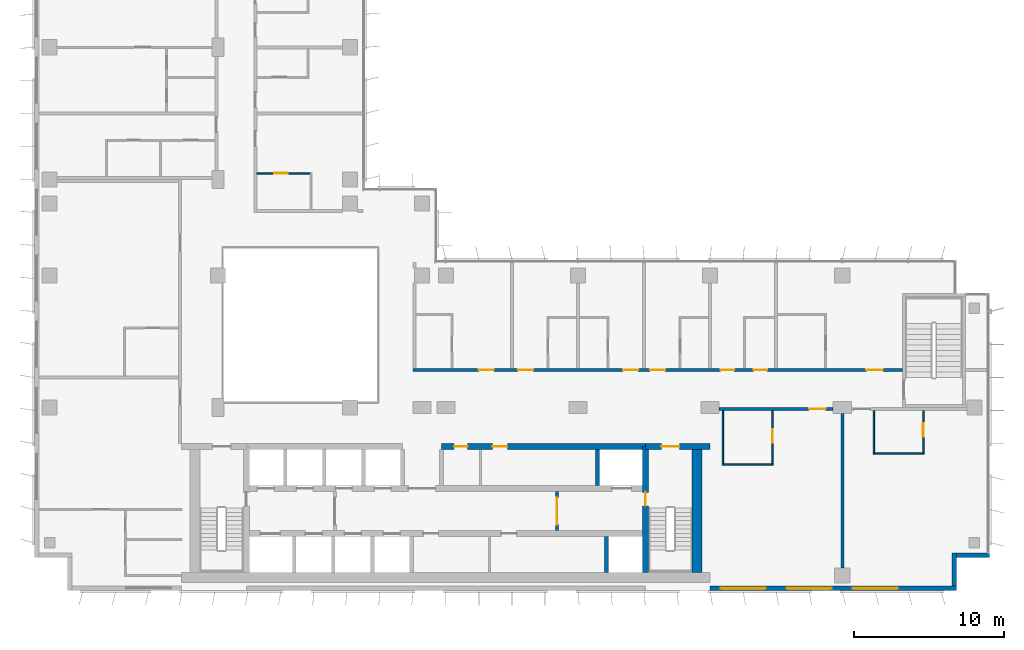
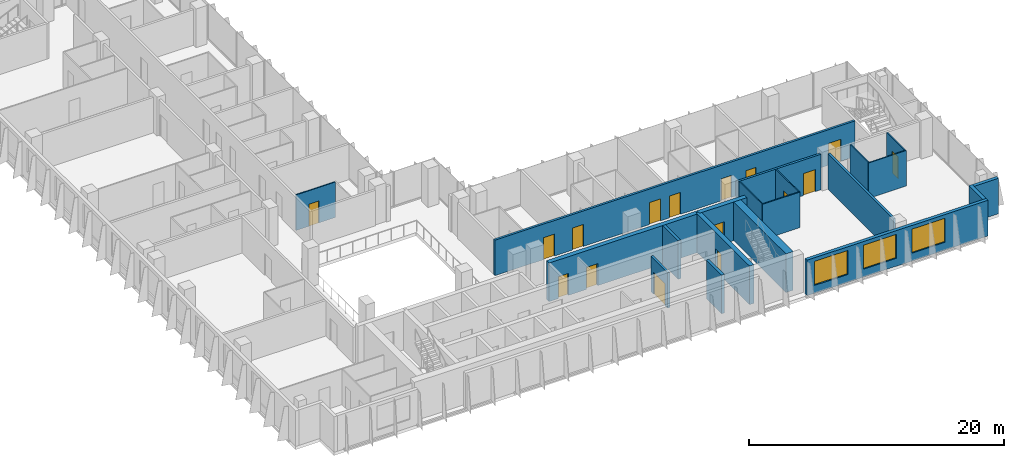
# One storey, part 14 of 21: 20 walls, 16 doors, 3 windows, 19 openings.
"""IFC4 building model written with IfcOpenShell, lengths in metres."""

import ifcopenshell
import ifcopenshell.guid

model = None  # the IFC model being written
_history = None  # IfcOwnerHistory: only IFC2X3 demands one
_inside = {}  # id of a spatial element -> (the spatial element, [elements in it])
_under = {}  # id of a project, library or spatial element -> (it, [spatial elements below it])
_declared = {}  # id of a project -> (the project, [libraries it declares])
_typed = {}  # id of a type object -> (the type object, [elements of that type])
_made_of = {}  # id of a material, layer set ... -> (it, [elements and type objects made of it])


def new_model(schema):
    """Start an empty IFC model of exactly this schema.

    Asked for "IFC4X3", IfcOpenShell would pick the latest addendum, in which some entities
    have other attributes; the version numbers below select the first issue.
    IFC2X3 requires an IfcOwnerHistory on every rooted entity: one is made here for all.
    """
    global model, _history
    if schema == "IFC4X3":
        model = ifcopenshell.file(schema_version=(4, 3, 0, 0))
    else:
        model = ifcopenshell.file(schema=schema)
    _inside.clear()
    _under.clear()
    _declared.clear()
    _typed.clear()
    _made_of.clear()
    _history = None
    if model.schema == "IFC2X3":
        org = make("IfcOrganization", Name="unknown")
        user = make(
            "IfcPersonAndOrganization",
            ThePerson=make("IfcPerson", FamilyName="unknown"),
            TheOrganization=org,
        )
        app = make(
            "IfcApplication",
            ApplicationDeveloper=org,
            Version="unknown",
            ApplicationFullName="unknown",
            ApplicationIdentifier="unknown",
        )
        _history = make(
            "IfcOwnerHistory",
            OwningUser=user,
            OwningApplication=app,
            ChangeAction="ADDED",
            CreationDate=0,
        )
    return model


def make(cls, **values):
    """One entity of the class cls with the attributes given. An attribute that is None is left unset."""
    return model.create_entity(
        cls, **{name: value for name, value in values.items() if value is not None}
    )


def rooted(cls, **values):
    """An entity with a GlobalId (a new one), such as an element, a storey or a relation."""
    return make(cls, GlobalId=ifcopenshell.guid.new(), OwnerHistory=_history, **values)


def si_unit(unit_type, name, prefix=None):
    """IfcSIUnit, for example si_unit("LENGTHUNIT", "METRE", prefix="MILLI")."""
    return make("IfcSIUnit", UnitType=unit_type, Prefix=prefix, Name=name)


def assignment(units):
    """IfcUnitAssignment: the units of a project."""
    return None if units is None else make("IfcUnitAssignment", Units=units)


def point(xyz):
    """IfcCartesianPoint."""
    return None if xyz is None else make("IfcCartesianPoint", Coordinates=xyz)


def direction(xyz):
    """IfcDirection."""
    return None if xyz is None else make("IfcDirection", DirectionRatios=xyz)


def frame(location, z_axis=None, x_axis=None):
    """IfcAxis2Placement3D, a coordinate frame: its origin and axes. An axis left out is left unset."""
    return make(
        "IfcAxis2Placement3D",
        Location=point(location),
        Axis=direction(z_axis),
        RefDirection=direction(x_axis),
    )


def frame_2d(location, x_axis=None):
    """IfcAxis2Placement2D, a coordinate frame in the plane: its origin and x axis."""
    return make(
        "IfcAxis2Placement2D", Location=point(location), RefDirection=direction(x_axis)
    )


def origin():
    """The frame at (0, 0, 0) with its axes left unset."""
    return frame((0.0, 0.0, 0.0))


def place(relative_to, where):
    """IfcLocalPlacement: puts the frame where relative to a parent placement (None: the world)."""
    return make(
        "IfcLocalPlacement", PlacementRelTo=relative_to, RelativePlacement=where
    )


def context(
    kind, dimensions, precision=None, world=None, true_north=None, identifier=None
):
    """IfcGeometricRepresentationContext, for example the 3D "Model" context."""
    return make(
        "IfcGeometricRepresentationContext",
        ContextIdentifier=identifier,
        ContextType=kind,
        CoordinateSpaceDimension=dimensions,
        Precision=precision,
        WorldCoordinateSystem=world,
        TrueNorth=true_north,
    )


def subcontext(parent, identifier, kind, view, scale=None):
    """IfcGeometricRepresentationSubContext, for example "Body" below "Model"."""
    return make(
        "IfcGeometricRepresentationSubContext",
        ContextIdentifier=identifier,
        ContextType=kind,
        ParentContext=parent,
        TargetScale=scale,
        TargetView=view,
    )


def project(units=None, contexts=None):
    """IfcProject with its units and contexts."""
    return rooted(
        "IfcProject",
        Name="project",
        RepresentationContexts=contexts,
        UnitsInContext=assignment(units),
    )


def spatial(cls, under=None, at=None, **own):
    """A site, building, storey or space (cls), placed at a placement, below another one or the project."""
    s = rooted(cls, ObjectPlacement=at, **own)
    if under is not None:
        _under.setdefault(under.id(), (under, []))[1].append(s)
    return s


def profile(cls, at=None, kind="AREA", **sizes):
    """A parametric profile (cls). Its sizes go by their IFC names, for example OverallWidth=200.0."""
    return make(cls, ProfileType=kind, Position=at, **sizes)


def rectangle(**sizes):
    """IfcRectangleProfileDef."""
    return profile("IfcRectangleProfileDef", **sizes)


def extrude(swept, where, along, depth):
    """IfcExtrudedAreaSolid: the profile swept, set in the frame where, extruded along a direction by depth."""
    return make(
        "IfcExtrudedAreaSolid",
        SweptArea=swept,
        Position=where,
        ExtrudedDirection=direction(along),
        Depth=depth,
    )


def shape(context_of_items, identifier, shape_type, items):
    """IfcShapeRepresentation: the items that make up one representation, for example the "Body"."""
    return make(
        "IfcShapeRepresentation",
        ContextOfItems=context_of_items,
        RepresentationIdentifier=identifier,
        RepresentationType=shape_type,
        Items=items,
    )


def material(Name=None, Category=None):
    """IfcMaterial."""
    return make("IfcMaterial", Name=Name, Category=Category)


def layer(
    of_material, thickness, ventilated=None, Name=None, Category=None, Priority=None
):
    """IfcMaterialLayer: one layer of a wall or slab, of a material (None: an air gap)."""
    return make(
        "IfcMaterialLayer",
        Material=of_material,
        LayerThickness=thickness,
        IsVentilated=ventilated,
        Name=Name,
        Category=Category,
        Priority=Priority,
    )


def layer_set(layers, Name=None):
    """IfcMaterialLayerSet."""
    return make("IfcMaterialLayerSet", MaterialLayers=layers, LayerSetName=Name)


def made_of(thing, what):
    """Note that an element or type object is made of a material, layer set ...; save() writes the relation."""
    if what is not None:
        _made_of.setdefault(what.id(), (what, []))[1].append(thing)
    return thing


def type_object(cls, material=None, **own):
    """A type object (cls), such as IfcWallType, which elements share."""
    return made_of(rooted(cls, **own), material)


def element(
    cls,
    number,
    at=None,
    inside=None,
    cuts=None,
    type_object=None,
    material=None,
    context=None,
    identifier="Body",
    shape_type=None,
    held_by="IfcProductDefinitionShape",
    body=None,
    shapes=None,
    **own,
):
    """One element of the class cls, such as IfcWall. Its Tag is "e" and its number.

    at: its placement. inside: the storey or other place that contains it. cuts: it is an
    opening in that element (IfcRelVoidsElement). A single representation is given by context,
    identifier, shape_type and body (its items); several are given by shapes. held_by: the class
    of the entity that holds the representations. save() writes the other relations.
    """
    e = rooted(cls, Tag="e%d" % number, ObjectPlacement=at, **own)
    if body is not None:
        shapes = [shape(context, identifier, shape_type, body)]
    if shapes is not None:
        e.Representation = make(held_by, Representations=shapes)
    if inside is not None:
        _inside.setdefault(inside.id(), (inside, []))[1].append(e)
    if cuts is not None:
        rooted(
            "IfcRelVoidsElement", RelatingBuildingElement=cuts, RelatedOpeningElement=e
        )
    if type_object is not None:
        _typed.setdefault(type_object.id(), (type_object, []))[1].append(e)
    return made_of(e, material)


def fill(opening, filler):
    """IfcRelFillsElement: the door or window that sits in an opening."""
    return rooted(
        "IfcRelFillsElement",
        RelatingOpeningElement=opening,
        RelatedBuildingElement=filler,
    )


def aggregate(whole, parts):
    """IfcRelAggregates: a whole, such as a stair, and the parts it consists of."""
    return rooted("IfcRelAggregates", RelatingObject=whole, RelatedObjects=parts)


def save(model, path):
    """Write the relations noted so far, then the file.

    IfcRelAggregates (storeys below a building ...), IfcRelContainedInSpatialStructure (elements
    in a storey), IfcRelDefinesByType, IfcRelAssociatesMaterial and IfcRelDeclares: one each for
    every whole, place, type object, material and project.
    """
    for whole, parts in _under.values():
        aggregate(whole, parts)
    for where, things in _inside.values():
        rooted(
            "IfcRelContainedInSpatialStructure",
            RelatedElements=things,
            RelatingStructure=where,
        )
    for kind, things in _typed.values():
        rooted("IfcRelDefinesByType", RelatedObjects=things, RelatingType=kind)
    for what, things in _made_of.values():
        rooted("IfcRelAssociatesMaterial", RelatedObjects=things, RelatingMaterial=what)
    for by, libraries in _declared.values():
        rooted("IfcRelDeclares", RelatingContext=by, RelatedDefinitions=libraries)
    model.write(path)


model = new_model("IFC4")

# Units and contexts
model_context = context("Model", 3, precision=1e-05, world=origin(), true_north=direction((0.0, 1.0)))
body_context = subcontext(model_context, "Body", "Model", "MODEL_VIEW")
ifc_project = project(units=[si_unit("LENGTHUNIT", "METRE"), si_unit("AREAUNIT", "SQUARE_METRE"), si_unit("VOLUMEUNIT", "CUBIC_METRE"), si_unit("PLANEANGLEUNIT", "RADIAN"), si_unit("MASSUNIT", "GRAM", prefix="KILO")], contexts=[model_context])

# Site, building, storey
site_placement = place(None, origin())
site = spatial("IfcSite", under=ifc_project, at=site_placement, CompositionType="ELEMENT")
building_placement = place(site_placement, origin())
building = spatial("IfcBuilding", under=site, at=building_placement, Name="Kemantara Hotel Tower", CompositionType="ELEMENT")
storey_placement = place(building_placement, frame((0.0, 0.0, 171.60009765625)))
storey = spatial("IfcBuildingStorey", under=building, at=storey_placement, Name="L42", CompositionType="ELEMENT", Elevation=171.60009765625)

# Wall, openings, windows
ifc_material_1 = material(Name="Bronze anodised aluminium cladding on insulated steel stud wall", Category="steel")
ifc_layer_1 = layer(ifc_material_1, 0.300048828125)
ifc_layer_set_1 = layer_set([ifc_layer_1], Name="Bronze anodised aluminium cladding on insulated steel stud wall")
wall_type_1 = type_object("IfcWallType", Name="BRONZE METAL-CLAD EXTERNAL WALL 300", PredefinedType="STANDARD", material=ifc_layer_set_1)
wall_1_placement = place(storey_placement, frame((45.0, 0.14990234375, 0.0), z_axis=(0.0, 0.0, 1.0), x_axis=(1.0, 0.0, 0.0)))
wall_1 = element("IfcWall", 1, at=wall_1_placement, inside=storey, type_object=wall_type_1, Name="EXTERNAL WALL L42 T3-R08-3", PredefinedType="STANDARD", context=body_context, shape_type="SweptSolid", body=[
    extrude(rectangle(XDim=16.39990234375, YDim=0.300048828125, at=frame_2d((8.199951171875, 0.0))), origin(), (0.0, 0.0, 1.0), 3.39990234375),
])
opening_1_placement = place(wall_1_placement, frame((0.699951171875, 0.0, 0.75)))
opening_1 = element("IfcOpeningElement", 2, at=opening_1_placement, cuts=wall_1, Name="Opening W1", PredefinedType="OPENING", context=body_context, shape_type="SweptSolid", body=[
    extrude(rectangle(XDim=3.0, YDim=2.300048828125, at=frame_2d((1.5, 1.14990234375))), frame((0.0, 0.159912109375, 0.0), z_axis=(0.0, -1.0, 0.0), x_axis=(1.0, 0.0, 0.0)), (0.0, 0.0, 1.0), 0.320068359375),
])
opening_2_placement = place(wall_1_placement, frame((5.10009765625, 0.0, 0.75)))
opening_2 = element("IfcOpeningElement", 3, at=opening_2_placement, cuts=wall_1, Name="Opening W1", PredefinedType="OPENING", context=body_context, shape_type="SweptSolid", body=[
    extrude(rectangle(XDim=3.0, YDim=2.300048828125, at=frame_2d((1.5, 1.14990234375))), frame((0.0, 0.159912109375, 0.0), z_axis=(0.0, -1.0, 0.0), x_axis=(1.0, 0.0, 0.0)), (0.0, 0.0, 1.0), 0.320068359375),
])
opening_3_placement = place(wall_1_placement, frame((9.5, 0.0, 0.75)))
opening_3 = element("IfcOpeningElement", 4, at=opening_3_placement, cuts=wall_1, Name="Opening W1", PredefinedType="OPENING", context=body_context, shape_type="SweptSolid", body=[
    extrude(rectangle(XDim=3.0, YDim=2.300048828125, at=frame_2d((1.5, 1.14990234375))), frame((0.0, 0.159912109375, 0.0), z_axis=(0.0, -1.0, 0.0), x_axis=(1.0, 0.0, 0.0)), (0.0, 0.0, 1.0), 0.320068359375),
])
ifc_material_2 = material(Name="Low-E tinted double insulated glass in bronze anodised aluminium frame", Category="aluminium")
window_type = type_object("IfcWindowType", Name="CHICAGO WINDOW, TRIPLE PANEL 3000x2300", PartitioningType="TRIPLE_PANEL_VERTICAL", PredefinedType="WINDOW", material=ifc_material_2)
window_1_placement = place(opening_1_placement, origin())
window_1 = element("IfcWindow", 5, at=window_1_placement, inside=storey, type_object=window_type, Name="CHICAGO WINDOW L42 T3-R08-450", OverallHeight=2.300048828125, OverallWidth=3.0, PartitioningType="SINGLE_PANEL", PredefinedType="WINDOW", context=body_context, shape_type="SweptSolid", body=[
    extrude(rectangle(XDim=3.0, YDim=2.300048828125, at=frame_2d((1.5, 1.14990234375))), frame((0.0, 0.030029296875, 0.0), z_axis=(0.0, -1.0, 0.0), x_axis=(1.0, 0.0, 0.0)), (0.0, 0.0, 1.0), 0.06005859375),
])
fill(opening_1, window_1)
window_2_placement = place(opening_2_placement, origin())
window_2 = element("IfcWindow", 6, at=window_2_placement, inside=storey, type_object=window_type, Name="CHICAGO WINDOW L42 T3-R08-494", OverallHeight=2.300048828125, OverallWidth=3.0, PartitioningType="SINGLE_PANEL", PredefinedType="WINDOW", context=body_context, shape_type="SweptSolid", body=[
    extrude(rectangle(XDim=3.0, YDim=2.300048828125, at=frame_2d((1.5, 1.14990234375))), frame((0.0, 0.030029296875, 0.0), z_axis=(0.0, -1.0, 0.0), x_axis=(1.0, 0.0, 0.0)), (0.0, 0.0, 1.0), 0.06005859375),
])
fill(opening_2, window_2)
window_3_placement = place(opening_3_placement, origin())
window_3 = element("IfcWindow", 7, at=window_3_placement, inside=storey, type_object=window_type, Name="CHICAGO WINDOW L42 T3-R08-538", OverallHeight=2.300048828125, OverallWidth=3.0, PartitioningType="SINGLE_PANEL", PredefinedType="WINDOW", context=body_context, shape_type="SweptSolid", body=[
    extrude(rectangle(XDim=3.0, YDim=2.300048828125, at=frame_2d((1.5, 1.14990234375))), frame((0.0, 0.030029296875, 0.0), z_axis=(0.0, -1.0, 0.0), x_axis=(1.0, 0.0, 0.0)), (0.0, 0.0, 1.0), 0.06005859375),
])
fill(opening_3, window_3)

# Walls
wall_2_placement = place(storey_placement, frame((61.25, 0.300048828125, 0.0), z_axis=(0.0, 0.0, 1.0), x_axis=(0.0, 1.0, 0.0)))
element("IfcWall", 8, at=wall_2_placement, inside=storey, type_object=wall_type_1, Name="EXTERNAL WALL L42 T3-R09", PredefinedType="STANDARD", context=body_context, shape_type="SweptSolid", body=[
    extrude(rectangle(XDim=2.199951171875, YDim=0.300048828125, at=frame_2d((1.10009765625, 0.0))), origin(), (0.0, 0.0, 1.0), 3.39990234375),
])
wall_3_placement = place(storey_placement, frame((61.39990234375, 2.35009765625, 0.0), z_axis=(0.0, 0.0, 1.0), x_axis=(1.0, 0.0, 0.0)))
element("IfcWall", 9, at=wall_3_placement, inside=storey, type_object=wall_type_1, Name="EXTERNAL WALL L42 T3-R10", PredefinedType="STANDARD", context=body_context, shape_type="SweptSolid", body=[
    extrude(rectangle(XDim=2.2001953125, YDim=0.300048828125, at=frame_2d((1.10009765625, 0.0))), origin(), (0.0, 0.0, 1.0), 3.39990234375),
])
ifc_material_3 = material(Name="Concrete fc 60 MPa", Category="concrete")
ifc_layer_2 = layer(ifc_material_3, 0.25)
ifc_layer_set_2 = layer_set([ifc_layer_2], Name="Concrete fc 60 MPa")
wall_type_2 = type_object("IfcWallType", Name="CORE WALL 250 FC60", PredefinedType="SHEAR", material=ifc_layer_set_2)
wall_4_placement = place(storey_placement, frame((38.10009765625, 1.199951171875, 0.0), z_axis=(0.0, 0.0, 1.0), x_axis=(0.0, 1.0, 0.0)))
element("IfcWall", 10, at=wall_4_placement, inside=storey, type_object=wall_type_2, Name="CORE WALL CW-DS38.1", PredefinedType="SHEAR", context=body_context, shape_type="SweptSolid", body=[
    extrude(rectangle(XDim=2.400146484375, YDim=0.25, at=frame_2d((1.2001953125, 0.0))), origin(), (0.0, 0.0, 1.0), 3.699951171875),
])
wall_5_placement = place(storey_placement, frame((37.5, 7.0, 0.0), z_axis=(0.0, 0.0, 1.0), x_axis=(0.0, 1.0, 0.0)))
element("IfcWall", 11, at=wall_5_placement, inside=storey, type_object=wall_type_2, Name="CORE WALL CW-DN37.5", PredefinedType="SHEAR", context=body_context, shape_type="SweptSolid", body=[
    extrude(rectangle(XDim=2.39990234375, YDim=0.25, at=frame_2d((1.199951171875, 0.0))), origin(), (0.0, 0.0, 1.0), 3.699951171875),
])

# Wall, opening, door
ifc_layer_3 = layer(ifc_material_3, 0.39990234375)
ifc_layer_set_3 = layer_set([ifc_layer_3], Name="Concrete fc 60 MPa")
wall_type_3 = type_object("IfcWallType", Name="CORE WALL 400 FC60", PredefinedType="SHEAR", material=ifc_layer_set_3)
wall_6_placement = place(storey_placement, frame((40.699951171875, 9.60009765625, 0.0), z_axis=(0.0, 0.0, 1.0), x_axis=(1.0, 0.0, 0.0)))
wall_6 = element("IfcWall", 12, at=wall_6_placement, inside=storey, type_object=wall_type_3, Name="CORE WALL CW-N2", PredefinedType="SHEAR", context=body_context, shape_type="SweptSolid", body=[
    extrude(rectangle(XDim=4.300048828125, YDim=0.39990234375, at=frame_2d((2.14990234375, 0.0))), origin(), (0.0, 0.0, 1.0), 3.699951171875),
])
opening_4_placement = place(wall_6_placement, frame((1.050048828125, 0.0, 0.0)))
opening_4 = element("IfcOpeningElement", 13, at=opening_4_placement, cuts=wall_6, Name="Opening C26-ST2-C", PredefinedType="OPENING", context=body_context, shape_type="SweptSolid", body=[
    extrude(rectangle(XDim=1.199951171875, YDim=2.10009765625, at=frame_2d((0.60009765625, 1.050048828125))), frame((0.0, 0.2099609375, 0.0), z_axis=(0.0, -1.0, 0.0), x_axis=(1.0, 0.0, 0.0)), (0.0, 0.0, 1.0), 0.419921875),
])
ifc_material_4 = material(Name="Steel fire door", Category="steel")
door_type_1 = type_object("IfcDoorType", Name="Fire door FD90 1200 x 2100", OperationType="NOTDEFINED", PredefinedType="DOOR", material=ifc_material_4)
door_1_placement = place(opening_4_placement, frame((1.199951171875, 0.0, 0.0), z_axis=(0.0, 0.0, 1.0), x_axis=(-1.0, 0.0, 0.0)))
door_1 = element("IfcDoor", 14, at=door_1_placement, inside=storey, type_object=door_type_1, Name="Stair ST2 door to corridor", OperationType="SINGLE_SWING_RIGHT", OverallHeight=2.10009765625, OverallWidth=1.199951171875, PredefinedType="DOOR", context=body_context, shape_type="SweptSolid", body=[
    extrude(rectangle(XDim=1.199951171875, YDim=2.10009765625, at=frame_2d((0.60009765625, 1.050048828125))), frame((0.0, 0.02490234375, 0.0), z_axis=(0.0, -1.0, 0.0), x_axis=(1.0, 0.0, 0.0)), (0.0, 0.0, 1.0), 0.050048828125),
])
fill(opening_4, door_1)

# Wall, openings, doors
wall_7_placement = place(storey_placement, frame((27.10009765625, 9.60009765625, 0.0), z_axis=(0.0, 0.0, 1.0), x_axis=(1.0, 0.0, 0.0)))
wall_7 = element("IfcWall", 15, at=wall_7_placement, inside=storey, type_object=wall_type_3, Name="CORE WALL CW-NN2", PredefinedType="SHEAR", context=body_context, shape_type="SweptSolid", body=[
    extrude(rectangle(XDim=13.599853515625, YDim=0.39990234375, at=frame_2d((6.7998046875, 0.0))), origin(), (0.0, 0.0, 1.0), 3.699951171875),
])
opening_5_placement = place(wall_7_placement, frame((0.85009765625, 0.0, 0.0)))
opening_5 = element("IfcOpeningElement", 16, at=opening_5_placement, cuts=wall_7, Name="Opening C26-R-NE1", PredefinedType="OPENING", context=body_context, shape_type="SweptSolid", body=[
    extrude(rectangle(XDim=0.89990234375, YDim=2.10009765625, at=frame_2d((0.449951171875, 1.050048828125))), frame((0.0, 0.2099609375, 0.0), z_axis=(0.0, -1.0, 0.0), x_axis=(1.0, 0.0, 0.0)), (0.0, 0.0, 1.0), 0.419921875),
])
opening_6_placement = place(wall_7_placement, frame((3.39990234375, 0.0, 0.0)))
opening_6 = element("IfcOpeningElement", 17, at=opening_6_placement, cuts=wall_7, Name="Opening C26-R-NE2", PredefinedType="OPENING", context=body_context, shape_type="SweptSolid", body=[
    extrude(rectangle(XDim=1.0, YDim=2.10009765625, at=frame_2d((0.5, 1.050048828125))), frame((0.0, 0.2099609375, 0.0), z_axis=(0.0, -1.0, 0.0), x_axis=(1.0, 0.0, 0.0)), (0.0, 0.0, 1.0), 0.419921875),
])
door_type_2 = type_object("IfcDoorType", Name="Fire door FD30S 1000 x 2100", OperationType="NOTDEFINED", PredefinedType="DOOR", material=ifc_material_4)
door_2_placement = place(opening_6_placement, frame((1.0, 0.0, 0.0), z_axis=(0.0, 0.0, 1.0), x_axis=(-1.0, 0.0, 0.0)))
door_2 = element("IfcDoor", 18, at=door_2_placement, inside=storey, type_object=door_type_2, Name="Linen Store door", OperationType="SINGLE_SWING_RIGHT", OverallHeight=2.10009765625, OverallWidth=1.0, PredefinedType="DOOR", context=body_context, shape_type="SweptSolid", body=[
    extrude(rectangle(XDim=1.0, YDim=2.10009765625, at=frame_2d((0.5, 1.050048828125))), frame((0.0, 0.02490234375, 0.0), z_axis=(0.0, -1.0, 0.0), x_axis=(1.0, 0.0, 0.0)), (0.0, 0.0, 1.0), 0.050048828125),
])
fill(opening_6, door_2)
door_type_3 = type_object("IfcDoorType", Name="Fire door FD30S 900 x 2100", OperationType="NOTDEFINED", PredefinedType="DOOR", material=ifc_material_4)
door_3_placement = place(opening_5_placement, frame((0.89990234375, 0.0, 0.0), z_axis=(0.0, 0.0, 1.0), x_axis=(-1.0, 0.0, 0.0)))
door_3 = element("IfcDoor", 19, at=door_3_placement, inside=storey, type_object=door_type_3, Name="Staff Wc door", OperationType="SINGLE_SWING_RIGHT", OverallHeight=2.10009765625, OverallWidth=0.89990234375, PredefinedType="DOOR", context=body_context, shape_type="SweptSolid", body=[
    extrude(rectangle(XDim=0.89990234375, YDim=2.10009765625, at=frame_2d((0.449951171875, 1.050048828125))), frame((0.0, 0.02490234375, 0.0), z_axis=(0.0, -1.0, 0.0), x_axis=(1.0, 0.0, 0.0)), (0.0, 0.0, 1.0), 0.050048828125),
])
fill(opening_5, door_3)

# Wall, opening, door
wall_8_placement = place(storey_placement, frame((40.699951171875, 1.199951171875, 0.0), z_axis=(0.0, 0.0, 1.0), x_axis=(0.0, 1.0, 0.0)))
wall_8 = element("IfcWall", 20, at=wall_8_placement, inside=storey, type_object=wall_type_3, Name="CORE WALL CW-ST2W", PredefinedType="SHEAR", context=body_context, shape_type="SweptSolid", body=[
    extrude(rectangle(XDim=8.400146484375, YDim=0.39990234375, at=frame_2d((4.2001953125, 0.0))), origin(), (0.0, 0.0, 1.0), 3.699951171875),
])
opening_7_placement = place(wall_8_placement, frame((4.449951171875, 0.0, 0.0)))
opening_7 = element("IfcOpeningElement", 21, at=opening_7_placement, cuts=wall_8, Name="Opening C26-ST2-F", PredefinedType="OPENING", context=body_context, shape_type="SweptSolid", body=[
    extrude(rectangle(XDim=0.89990234375, YDim=2.10009765625, at=frame_2d((0.449951171875, 1.050048828125))), frame((0.0, 0.2099609375, 0.0), z_axis=(0.0, -1.0, 0.0), x_axis=(1.0, 0.0, 0.0)), (0.0, 0.0, 1.0), 0.419921875),
])
door_type_4 = type_object("IfcDoorType", Name="Fire door FD90 900 x 2100", OperationType="NOTDEFINED", PredefinedType="DOOR", material=ifc_material_4)
door_4_placement = place(opening_7_placement, frame((0.89990234375, 0.0, 0.0), z_axis=(0.0, 0.0, 1.0), x_axis=(-1.0, 0.0, 0.0)))
door_4 = element("IfcDoor", 22, at=door_4_placement, inside=storey, type_object=door_type_4, Name="Stair ST2 door to firefighting lobby", OperationType="SINGLE_SWING_LEFT", OverallHeight=2.10009765625, OverallWidth=0.89990234375, PredefinedType="DOOR", context=body_context, shape_type="SweptSolid", body=[
    extrude(rectangle(XDim=0.89990234375, YDim=2.10009765625, at=frame_2d((0.449951171875, 1.050048828125))), frame((0.0, 0.02490234375, 0.0), z_axis=(0.0, -1.0, 0.0), x_axis=(1.0, 0.0, 0.0)), (0.0, 0.0, 1.0), 0.050048828125),
])
fill(opening_7, door_4)

# Wall
ifc_layer_4 = layer(ifc_material_3, 0.64990234375)
ifc_layer_set_4 = layer_set([ifc_layer_4], Name="Concrete fc 60 MPa")
wall_type_4 = type_object("IfcWallType", Name="CORE WALL 650 FC60", PredefinedType="SHEAR", material=ifc_layer_set_4)
wall_9_placement = place(storey_placement, frame((44.125, 1.199951171875, 0.0), z_axis=(0.0, 0.0, 1.0), x_axis=(0.0, 1.0, 0.0)))
element("IfcWall", 23, at=wall_9_placement, inside=storey, type_object=wall_type_4, Name="CORE WALL CW-E", PredefinedType="SHEAR", context=body_context, shape_type="SweptSolid", body=[
    extrude(rectangle(XDim=8.60009765625, YDim=0.64990234375, at=frame_2d((4.300048828125, 0.0))), origin(), (0.0, 0.0, 1.0), 3.699951171875),
])

# Wall, opening, door
ifc_material_5 = material(Name="Gypsum board partition, steel studs and mineral wool, 200 mm", Category="steel")
ifc_layer_5 = layer(ifc_material_5, 0.199951171875)
ifc_layer_set_5 = layer_set([ifc_layer_5], Name="Gypsum board partition, steel studs and mineral wool, 200 mm")
wall_type_5 = type_object("IfcWallType", Name="CORRIDOR WALL 200", PredefinedType="PARTITIONING", material=ifc_layer_set_5)
wall_10_placement = place(storey_placement, frame((53.199951171875, 12.10009765625, 0.0), z_axis=(0.0, 0.0, 1.0), x_axis=(-1.0, 0.0, 0.0)))
wall_10 = element("IfcWall", 24, at=wall_10_placement, inside=storey, type_object=wall_type_5, Name="CORRIDOR WALL 200 001", PredefinedType="PARTITIONING", context=body_context, shape_type="SweptSolid", body=[
    extrude(rectangle(XDim=7.599853515625, YDim=0.199951171875, at=frame_2d((3.7998046875, 0.0))), origin(), (0.0, 0.0, 1.0), 3.39990234375),
])
opening_8_placement = place(wall_10_placement, frame((0.5, 0.0, 0.0)))
opening_8 = element("IfcOpeningElement", 25, at=opening_8_placement, cuts=wall_10, Name="Opening F19-001", PredefinedType="OPENING", context=body_context, shape_type="SweptSolid", body=[
    extrude(rectangle(XDim=1.10009765625, YDim=2.10009765625, at=frame_2d((0.550048828125, 1.050048828125))), frame((0.0, 0.10986328125, 0.0), z_axis=(0.0, -1.0, 0.0), x_axis=(1.0, 0.0, 0.0)), (0.0, 0.0, 1.0), 0.219970703125),
])
ifc_material_6 = material(Name="Hardwood veneer door leaf with steel frame", Category="steel")
door_type_5 = type_object("IfcDoorType", Name="SUITE ENTRANCE DOOR 1100 X 2100 FD30S", OperationType="NOTDEFINED", PredefinedType="DOOR", material=ifc_material_6)
door_5_placement = place(opening_8_placement, origin())
door_5 = element("IfcDoor", 26, at=door_5_placement, inside=storey, type_object=door_type_5, Name="SUITE ENTRANCE DOOR F19-001", OperationType="SINGLE_SWING_LEFT", OverallHeight=2.10009765625, OverallWidth=1.10009765625, PredefinedType="DOOR", context=body_context, shape_type="SweptSolid", body=[
    extrude(rectangle(XDim=1.10009765625, YDim=2.10009765625, at=frame_2d((0.550048828125, 1.050048828125))), frame((0.0, 0.02490234375, 0.0), z_axis=(0.0, -1.0, 0.0), x_axis=(1.0, 0.0, 0.0)), (0.0, 0.0, 1.0), 0.050048828125),
])
fill(opening_8, door_5)

# Wall, openings, doors
wall_11_placement = place(storey_placement, frame((25.199951171875, 14.699951171875, 0.0), z_axis=(0.0, 0.0, 1.0), x_axis=(1.0, 0.0, 0.0)))
wall_11 = element("IfcWall", 27, at=wall_11_placement, inside=storey, type_object=wall_type_5, Name="CORRIDOR WALL 200 004", PredefinedType="PARTITIONING", context=body_context, shape_type="SweptSolid", body=[
    extrude(rectangle(XDim=32.60009765625, YDim=0.199951171875, at=frame_2d((16.300048828125, 0.0))), origin(), (0.0, 0.0, 1.0), 3.39990234375),
])
opening_9_placement = place(wall_11_placement, frame((4.39990234375, 0.0, 0.0)))
opening_9 = element("IfcOpeningElement", 28, at=opening_9_placement, cuts=wall_11, Name="Opening F19-005", PredefinedType="OPENING", context=body_context, shape_type="SweptSolid", body=[
    extrude(rectangle(XDim=1.0, YDim=2.10009765625, at=frame_2d((0.5, 1.050048828125))), frame((0.0, 0.10986328125, 0.0), z_axis=(0.0, -1.0, 0.0), x_axis=(1.0, 0.0, 0.0)), (0.0, 0.0, 1.0), 0.219970703125),
])
opening_10_placement = place(wall_11_placement, frame((7.0, 0.0, 0.0)))
opening_10 = element("IfcOpeningElement", 29, at=opening_10_placement, cuts=wall_11, Name="Opening F19-007", PredefinedType="OPENING", context=body_context, shape_type="SweptSolid", body=[
    extrude(rectangle(XDim=1.0, YDim=2.10009765625, at=frame_2d((0.5, 1.050048828125))), frame((0.0, 0.10986328125, 0.0), z_axis=(0.0, -1.0, 0.0), x_axis=(1.0, 0.0, 0.0)), (0.0, 0.0, 1.0), 0.219970703125),
])
opening_11_placement = place(wall_11_placement, frame((14.0, 0.0, 0.0)))
opening_11 = element("IfcOpeningElement", 30, at=opening_11_placement, cuts=wall_11, Name="Opening F19-009", PredefinedType="OPENING", context=body_context, shape_type="SweptSolid", body=[
    extrude(rectangle(XDim=1.0, YDim=2.10009765625, at=frame_2d((0.5, 1.050048828125))), frame((0.0, 0.10986328125, 0.0), z_axis=(0.0, -1.0, 0.0), x_axis=(1.0, 0.0, 0.0)), (0.0, 0.0, 1.0), 0.219970703125),
])
opening_12_placement = place(wall_11_placement, frame((15.800048828125, 0.0, 0.0)))
opening_12 = element("IfcOpeningElement", 31, at=opening_12_placement, cuts=wall_11, Name="Opening F19-011", PredefinedType="OPENING", context=body_context, shape_type="SweptSolid", body=[
    extrude(rectangle(XDim=1.0, YDim=2.10009765625, at=frame_2d((0.5, 1.050048828125))), frame((0.0, 0.10986328125, 0.0), z_axis=(0.0, -1.0, 0.0), x_axis=(1.0, 0.0, 0.0)), (0.0, 0.0, 1.0), 0.219970703125),
])
opening_13_placement = place(wall_11_placement, frame((20.5, 0.0, 0.0)))
opening_13 = element("IfcOpeningElement", 32, at=opening_13_placement, cuts=wall_11, Name="Opening F19-013", PredefinedType="OPENING", context=body_context, shape_type="SweptSolid", body=[
    extrude(rectangle(XDim=0.89990234375, YDim=2.10009765625, at=frame_2d((0.449951171875, 1.050048828125))), frame((0.0, 0.10986328125, 0.0), z_axis=(0.0, -1.0, 0.0), x_axis=(1.0, 0.0, 0.0)), (0.0, 0.0, 1.0), 0.219970703125),
])
opening_14_placement = place(wall_11_placement, frame((22.699951171875, 0.0, 0.0)))
opening_14 = element("IfcOpeningElement", 33, at=opening_14_placement, cuts=wall_11, Name="Opening F19-014", PredefinedType="OPENING", context=body_context, shape_type="SweptSolid", body=[
    extrude(rectangle(XDim=0.89990234375, YDim=2.10009765625, at=frame_2d((0.449951171875, 1.050048828125))), frame((0.0, 0.10986328125, 0.0), z_axis=(0.0, -1.0, 0.0), x_axis=(1.0, 0.0, 0.0)), (0.0, 0.0, 1.0), 0.219970703125),
])
opening_15_placement = place(wall_11_placement, frame((30.199951171875, 0.0, 0.0)))
opening_15 = element("IfcOpeningElement", 34, at=opening_15_placement, cuts=wall_11, Name="Opening F19-015", PredefinedType="OPENING", context=body_context, shape_type="SweptSolid", body=[
    extrude(rectangle(XDim=1.10009765625, YDim=2.10009765625, at=frame_2d((0.550048828125, 1.050048828125))), frame((0.0, 0.10986328125, 0.0), z_axis=(0.0, -1.0, 0.0), x_axis=(1.0, 0.0, 0.0)), (0.0, 0.0, 1.0), 0.219970703125),
])
door_type_6 = type_object("IfcDoorType", Name="GUEST ROOM DOOR 1000 X 2100 FD30S", OperationType="NOTDEFINED", PredefinedType="DOOR", material=ifc_material_6)
door_6_placement = place(opening_9_placement, origin())
door_6 = element("IfcDoor", 35, at=door_6_placement, inside=storey, type_object=door_type_6, Name="GUEST ROOM DOOR F19-005", OperationType="SINGLE_SWING_RIGHT", OverallHeight=2.10009765625, OverallWidth=1.0, PredefinedType="DOOR", context=body_context, shape_type="SweptSolid", body=[
    extrude(rectangle(XDim=1.0, YDim=2.10009765625, at=frame_2d((0.5, 1.050048828125))), frame((0.0, 0.02490234375, 0.0), z_axis=(0.0, -1.0, 0.0), x_axis=(1.0, 0.0, 0.0)), (0.0, 0.0, 1.0), 0.050048828125),
])
fill(opening_9, door_6)
door_7_placement = place(opening_10_placement, origin())
door_7 = element("IfcDoor", 36, at=door_7_placement, inside=storey, type_object=door_type_6, Name="GUEST ROOM DOOR F19-007", OperationType="SINGLE_SWING_LEFT", OverallHeight=2.10009765625, OverallWidth=1.0, PredefinedType="DOOR", context=body_context, shape_type="SweptSolid", body=[
    extrude(rectangle(XDim=1.0, YDim=2.10009765625, at=frame_2d((0.5, 1.050048828125))), frame((0.0, 0.02490234375, 0.0), z_axis=(0.0, -1.0, 0.0), x_axis=(1.0, 0.0, 0.0)), (0.0, 0.0, 1.0), 0.050048828125),
])
fill(opening_10, door_7)
door_8_placement = place(opening_11_placement, origin())
door_8 = element("IfcDoor", 37, at=door_8_placement, inside=storey, type_object=door_type_6, Name="GUEST ROOM DOOR F19-009", OperationType="SINGLE_SWING_RIGHT", OverallHeight=2.10009765625, OverallWidth=1.0, PredefinedType="DOOR", context=body_context, shape_type="SweptSolid", body=[
    extrude(rectangle(XDim=1.0, YDim=2.10009765625, at=frame_2d((0.5, 1.050048828125))), frame((0.0, 0.02490234375, 0.0), z_axis=(0.0, -1.0, 0.0), x_axis=(1.0, 0.0, 0.0)), (0.0, 0.0, 1.0), 0.050048828125),
])
fill(opening_11, door_8)
door_9_placement = place(opening_12_placement, origin())
door_9 = element("IfcDoor", 38, at=door_9_placement, inside=storey, type_object=door_type_6, Name="GUEST ROOM DOOR F19-011", OperationType="SINGLE_SWING_LEFT", OverallHeight=2.10009765625, OverallWidth=1.0, PredefinedType="DOOR", context=body_context, shape_type="SweptSolid", body=[
    extrude(rectangle(XDim=1.0, YDim=2.10009765625, at=frame_2d((0.5, 1.050048828125))), frame((0.0, 0.02490234375, 0.0), z_axis=(0.0, -1.0, 0.0), x_axis=(1.0, 0.0, 0.0)), (0.0, 0.0, 1.0), 0.050048828125),
])
fill(opening_12, door_9)
ifc_material_7 = material(Name="Steel door leaf with steel frame", Category="steel")
door_type_7 = type_object("IfcDoorType", Name="SERVICE ROOM DOOR 900 X 2100 FD60", OperationType="NOTDEFINED", PredefinedType="DOOR", material=ifc_material_7)
door_10_placement = place(opening_13_placement, origin())
door_10 = element("IfcDoor", 39, at=door_10_placement, inside=storey, type_object=door_type_7, Name="SERVICE ROOM DOOR F19-013", OperationType="SINGLE_SWING_LEFT", OverallHeight=2.10009765625, OverallWidth=0.89990234375, PredefinedType="DOOR", context=body_context, shape_type="SweptSolid", body=[
    extrude(rectangle(XDim=0.89990234375, YDim=2.10009765625, at=frame_2d((0.449951171875, 1.050048828125))), frame((0.0, 0.02490234375, 0.0), z_axis=(0.0, -1.0, 0.0), x_axis=(1.0, 0.0, 0.0)), (0.0, 0.0, 1.0), 0.050048828125),
])
fill(opening_13, door_10)
door_11_placement = place(opening_14_placement, origin())
door_11 = element("IfcDoor", 40, at=door_11_placement, inside=storey, type_object=door_type_7, Name="SERVICE ROOM DOOR F19-014", OperationType="SINGLE_SWING_RIGHT", OverallHeight=2.10009765625, OverallWidth=0.89990234375, PredefinedType="DOOR", context=body_context, shape_type="SweptSolid", body=[
    extrude(rectangle(XDim=0.89990234375, YDim=2.10009765625, at=frame_2d((0.449951171875, 1.050048828125))), frame((0.0, 0.02490234375, 0.0), z_axis=(0.0, -1.0, 0.0), x_axis=(1.0, 0.0, 0.0)), (0.0, 0.0, 1.0), 0.050048828125),
])
fill(opening_14, door_11)
door_12_placement = place(opening_15_placement, origin())
door_12 = element("IfcDoor", 41, at=door_12_placement, inside=storey, type_object=door_type_5, Name="SUITE ENTRANCE DOOR F19-015", OperationType="SINGLE_SWING_RIGHT", OverallHeight=2.10009765625, OverallWidth=1.10009765625, PredefinedType="DOOR", context=body_context, shape_type="SweptSolid", body=[
    extrude(rectangle(XDim=1.10009765625, YDim=2.10009765625, at=frame_2d((0.550048828125, 1.050048828125))), frame((0.0, 0.02490234375, 0.0), z_axis=(0.0, -1.0, 0.0), x_axis=(1.0, 0.0, 0.0)), (0.0, 0.0, 1.0), 0.050048828125),
])
fill(opening_15, door_12)

# Wall
ifc_layer_6 = layer(ifc_material_5, 0.199951171875)
ifc_layer_set_6 = layer_set([ifc_layer_6], Name="Gypsum board partition, steel studs and mineral wool, 200 mm")
wall_type_6 = type_object("IfcWallType", Name="GUEST ROOM PARTY WALL 200", PredefinedType="PARTITIONING", material=ifc_layer_set_6)
wall_12_placement = place(storey_placement, frame((53.800048828125, 1.5, 0.0), z_axis=(0.0, 0.0, 1.0), x_axis=(0.0, 1.0, 0.0)))
element("IfcWall", 42, at=wall_12_placement, inside=storey, type_object=wall_type_6, Name="GUEST ROOM PARTY WALL 200 003", PredefinedType="PARTITIONING", context=body_context, shape_type="SweptSolid", body=[
    extrude(rectangle(XDim=10.2998046875, YDim=0.199951171875, at=frame_2d((5.14990234375, 0.0))), origin(), (0.0, 0.0, 1.0), 3.39990234375),
])

# Wall, opening, door
ifc_material_8 = material(Name="Gypsum board shaft wall")
ifc_layer_7 = layer(ifc_material_8, 0.199951171875)
ifc_layer_set_7 = layer_set([ifc_layer_7], Name="Gypsum board shaft wall")
wall_type_7 = type_object("IfcWallType", Name="Gypsum board shaft wall 200 mm", PredefinedType="PARTITIONING", material=ifc_layer_set_7)
wall_13_placement = place(storey_placement, frame((34.800048828125, 4.0, 0.0), z_axis=(0.0, 0.0, 1.0), x_axis=(0.0, 1.0, 0.0)))
wall_13 = element("IfcWall", 43, at=wall_13_placement, inside=storey, type_object=wall_type_7, Name="Firefighting lobby partition east", PredefinedType="PARTITIONING", context=body_context, shape_type="SweptSolid", body=[
    extrude(rectangle(XDim=2.60009765625, YDim=0.199951171875, at=frame_2d((1.300048828125, 0.0))), origin(), (0.0, 0.0, 1.0), 3.39990234375),
])
opening_16_placement = place(wall_13_placement, frame((0.39990234375, 0.0, 0.0)))
opening_16 = element("IfcOpeningElement", 44, at=opening_16_placement, cuts=wall_13, Name="Opening C26-FFE", PredefinedType="OPENING", context=body_context, shape_type="SweptSolid", body=[
    extrude(rectangle(XDim=1.800048828125, YDim=2.10009765625, at=frame_2d((0.89990234375, 1.050048828125))), frame((0.0, 0.10986328125, 0.0), z_axis=(0.0, -1.0, 0.0), x_axis=(1.0, 0.0, 0.0)), (0.0, 0.0, 1.0), 0.219970703125),
])
door_type_8 = type_object("IfcDoorType", Name="Fire door pair FD60 1800 x 2100", OperationType="DOUBLE_DOOR_SINGLE_SWING", PredefinedType="DOOR", material=ifc_material_4)
door_13_placement = place(opening_16_placement, frame((1.800048828125, 0.0, 0.0), z_axis=(0.0, 0.0, 1.0), x_axis=(-1.0, 0.0, 0.0)))
door_13 = element("IfcDoor", 45, at=door_13_placement, inside=storey, type_object=door_type_8, Name="Firefighting lobby door east", OperationType="DOUBLE_DOOR_SINGLE_SWING", OverallHeight=2.10009765625, OverallWidth=1.800048828125, PredefinedType="DOOR", context=body_context, shape_type="SweptSolid", body=[
    extrude(rectangle(XDim=1.800048828125, YDim=2.10009765625, at=frame_2d((0.89990234375, 1.050048828125))), frame((0.0, 0.02490234375, 0.0), z_axis=(0.0, -1.0, 0.0), x_axis=(1.0, 0.0, 0.0)), (0.0, 0.0, 1.0), 0.050048828125),
])
fill(opening_16, door_13)

# Walls
ifc_material_9 = material(Name="Gypsum board partition on steel studs, 100 mm", Category="steel")
ifc_layer_8 = layer(ifc_material_9, 0.10009765625)
ifc_layer_set_8 = layer_set([ifc_layer_8], Name="Gypsum board partition on steel studs, 100 mm")
wall_type_8 = type_object("IfcWallType", Name="ROOM PARTITION 100", PredefinedType="PARTITIONING", material=ifc_layer_set_8)
wall_14_placement = place(storey_placement, frame((45.800048828125, 8.39990234375, 0.0), z_axis=(0.0, 0.0, 1.0), x_axis=(1.0, 0.0, 0.0)))
element("IfcWall", 46, at=wall_14_placement, inside=storey, type_object=wall_type_8, Name="ROOM PARTITION 100 031", PredefinedType="PARTITIONING", context=body_context, shape_type="SweptSolid", body=[
    extrude(rectangle(XDim=3.39990234375, YDim=0.10009765625, at=frame_2d((1.699951171875, 0.0))), origin(), (0.0, 0.0, 1.0), 3.39990234375),
])
wall_15_placement = place(storey_placement, frame((45.85009765625, 8.449951171875, 0.0), z_axis=(0.0, 0.0, 1.0), x_axis=(0.0, 1.0, 0.0)))
element("IfcWall", 47, at=wall_15_placement, inside=storey, type_object=wall_type_8, Name="ROOM PARTITION 100 032", PredefinedType="PARTITIONING", context=body_context, shape_type="SweptSolid", body=[
    extrude(rectangle(XDim=3.550048828125, YDim=0.10009765625, at=frame_2d((1.77490234375, 0.0))), origin(), (0.0, 0.0, 1.0), 3.39990234375),
])

# Wall, opening, door
wall_16_placement = place(storey_placement, frame((49.14990234375, 8.449951171875, 0.0), z_axis=(0.0, 0.0, 1.0), x_axis=(0.0, 1.0, 0.0)))
wall_16 = element("IfcWall", 48, at=wall_16_placement, inside=storey, type_object=wall_type_8, Name="ROOM PARTITION 100 033", PredefinedType="PARTITIONING", context=body_context, shape_type="SweptSolid", body=[
    extrude(rectangle(XDim=3.550048828125, YDim=0.10009765625, at=frame_2d((1.77490234375, 0.0))), origin(), (0.0, 0.0, 1.0), 3.39990234375),
])
opening_17_placement = place(wall_16_placement, frame((1.39990234375, 0.0, 0.0)))
opening_17 = element("IfcOpeningElement", 49, at=opening_17_placement, cuts=wall_16, Name="Opening F19-002", PredefinedType="OPENING", context=body_context, shape_type="SweptSolid", body=[
    extrude(rectangle(XDim=0.89990234375, YDim=2.10009765625, at=frame_2d((0.449951171875, 1.050048828125))), frame((0.0, 0.06005859375, 0.0), z_axis=(0.0, -1.0, 0.0), x_axis=(1.0, 0.0, 0.0)), (0.0, 0.0, 1.0), 0.1201171875),
])
door_type_9 = type_object("IfcDoorType", Name="BATHROOM DOOR 900 X 2100", OperationType="NOTDEFINED", PredefinedType="DOOR", material=ifc_material_6)
door_14_placement = place(opening_17_placement, origin())
door_14 = element("IfcDoor", 50, at=door_14_placement, inside=storey, type_object=door_type_9, Name="BATHROOM DOOR F19-002", OperationType="SINGLE_SWING_RIGHT", OverallHeight=2.10009765625, OverallWidth=0.89990234375, PredefinedType="DOOR", context=body_context, shape_type="SweptSolid", body=[
    extrude(rectangle(XDim=0.89990234375, YDim=2.10009765625, at=frame_2d((0.449951171875, 1.050048828125))), frame((0.0, 0.02490234375, 0.0), z_axis=(0.0, -1.0, 0.0), x_axis=(1.0, 0.0, 0.0)), (0.0, 0.0, 1.0), 0.050048828125),
])
fill(opening_17, door_14)

# Walls
wall_17_placement = place(storey_placement, frame((55.85009765625, 9.14990234375, 0.0), z_axis=(0.0, 0.0, 1.0), x_axis=(1.0, 0.0, 0.0)))
element("IfcWall", 51, at=wall_17_placement, inside=storey, type_object=wall_type_8, Name="ROOM PARTITION 100 034", PredefinedType="PARTITIONING", context=body_context, shape_type="SweptSolid", body=[
    extrude(rectangle(XDim=3.39990234375, YDim=0.10009765625, at=frame_2d((1.699951171875, 0.0))), origin(), (0.0, 0.0, 1.0), 3.39990234375),
])
wall_18_placement = place(storey_placement, frame((55.89990234375, 9.199951171875, 0.0), z_axis=(0.0, 0.0, 1.0), x_axis=(0.0, 1.0, 0.0)))
element("IfcWall", 52, at=wall_18_placement, inside=storey, type_object=wall_type_8, Name="ROOM PARTITION 100 035", PredefinedType="PARTITIONING", context=body_context, shape_type="SweptSolid", body=[
    extrude(rectangle(XDim=2.800048828125, YDim=0.10009765625, at=frame_2d((1.39990234375, 0.0))), origin(), (0.0, 0.0, 1.0), 3.39990234375),
])

# Wall, opening, door
wall_19_placement = place(storey_placement, frame((59.199951171875, 9.199951171875, 0.0), z_axis=(0.0, 0.0, 1.0), x_axis=(0.0, 1.0, 0.0)))
wall_19 = element("IfcWall", 53, at=wall_19_placement, inside=storey, type_object=wall_type_8, Name="ROOM PARTITION 100 036", PredefinedType="PARTITIONING", context=body_context, shape_type="SweptSolid", body=[
    extrude(rectangle(XDim=2.800048828125, YDim=0.10009765625, at=frame_2d((1.39990234375, 0.0))), origin(), (0.0, 0.0, 1.0), 3.39990234375),
])
opening_18_placement = place(wall_19_placement, frame((1.050048828125, 0.0, 0.0)))
opening_18 = element("IfcOpeningElement", 54, at=opening_18_placement, cuts=wall_19, Name="Opening F19-004", PredefinedType="OPENING", context=body_context, shape_type="SweptSolid", body=[
    extrude(rectangle(XDim=0.89990234375, YDim=2.10009765625, at=frame_2d((0.449951171875, 1.050048828125))), frame((0.0, 0.06005859375, 0.0), z_axis=(0.0, -1.0, 0.0), x_axis=(1.0, 0.0, 0.0)), (0.0, 0.0, 1.0), 0.1201171875),
])
door_15_placement = place(opening_18_placement, origin())
door_15 = element("IfcDoor", 55, at=door_15_placement, inside=storey, type_object=door_type_9, Name="BATHROOM DOOR F19-004", OperationType="SINGLE_SWING_RIGHT", OverallHeight=2.10009765625, OverallWidth=0.89990234375, PredefinedType="DOOR", context=body_context, shape_type="SweptSolid", body=[
    extrude(rectangle(XDim=0.89990234375, YDim=2.10009765625, at=frame_2d((0.449951171875, 1.050048828125))), frame((0.0, 0.02490234375, 0.0), z_axis=(0.0, -1.0, 0.0), x_axis=(1.0, 0.0, 0.0)), (0.0, 0.0, 1.0), 0.050048828125),
])
fill(opening_18, door_15)

wall_20_placement = place(storey_placement, frame((18.35009765625, 27.800048828125, 0.0), z_axis=(0.0, 0.0, 1.0), x_axis=(-1.0, 0.0, 0.0)))
wall_20 = element("IfcWall", 56, at=wall_20_placement, inside=storey, type_object=wall_type_8, Name="ROOM PARTITION 100 067", PredefinedType="PARTITIONING", context=body_context, shape_type="SweptSolid", body=[
    extrude(rectangle(XDim=3.550048828125, YDim=0.10009765625, at=frame_2d((1.77490234375, 0.0))), origin(), (0.0, 0.0, 1.0), 3.39990234375),
])
opening_19_placement = place(wall_20_placement, frame((1.5, 0.0, 0.0)))
opening_19 = element("IfcOpeningElement", 57, at=opening_19_placement, cuts=wall_20, Name="Opening F19-035", PredefinedType="OPENING", context=body_context, shape_type="SweptSolid", body=[
    extrude(rectangle(XDim=0.89990234375, YDim=2.10009765625, at=frame_2d((0.449951171875, 1.050048828125))), frame((0.0, 0.06005859375, 0.0), z_axis=(0.0, -1.0, 0.0), x_axis=(1.0, 0.0, 0.0)), (0.0, 0.0, 1.0), 0.1201171875),
])
door_16_placement = place(opening_19_placement, origin())
door_16 = element("IfcDoor", 58, at=door_16_placement, inside=storey, type_object=door_type_9, Name="BATHROOM DOOR F19-035", OperationType="SINGLE_SWING_RIGHT", OverallHeight=2.10009765625, OverallWidth=0.89990234375, PredefinedType="DOOR", context=body_context, shape_type="SweptSolid", body=[
    extrude(rectangle(XDim=0.89990234375, YDim=2.10009765625, at=frame_2d((0.449951171875, 1.050048828125))), frame((0.0, 0.02490234375, 0.0), z_axis=(0.0, -1.0, 0.0), x_axis=(1.0, 0.0, 0.0)), (0.0, 0.0, 1.0), 0.050048828125),
])
fill(opening_19, door_16)

save(model, "model.ifc")
